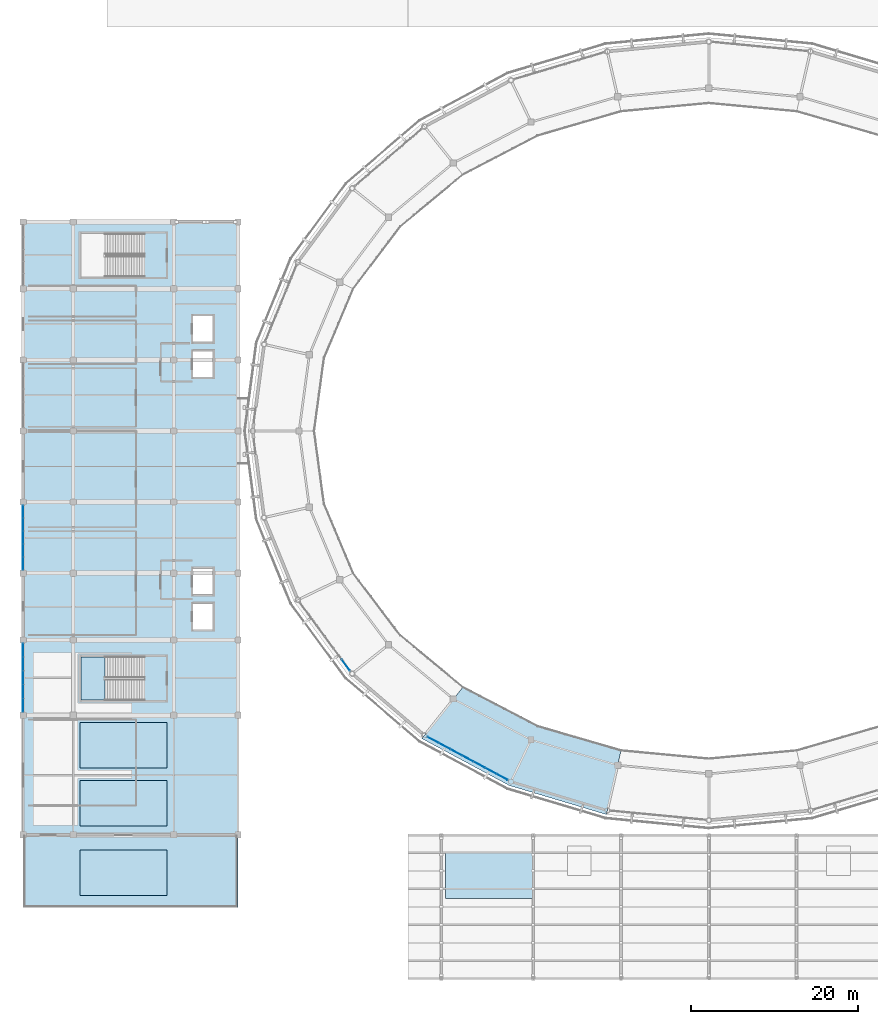
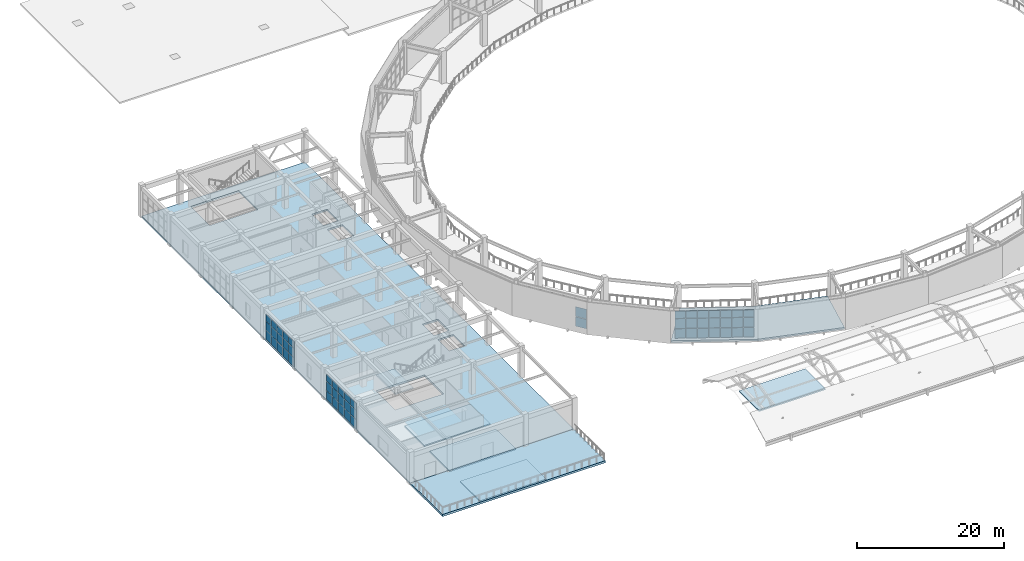
# One storey, part 40 of 70: 53 plates, 8 slabs, 5 elements without a shape of their own.
"""IFC4 building model written with IfcOpenShell, lengths in metres."""

import ifcopenshell
import ifcopenshell.guid

model = None  # the IFC model being written
_history = None  # IfcOwnerHistory: only IFC2X3 demands one
_inside = {}  # id of a spatial element -> (the spatial element, [elements in it])
_under = {}  # id of a project, library or spatial element -> (it, [spatial elements below it])
_declared = {}  # id of a project -> (the project, [libraries it declares])
_typed = {}  # id of a type object -> (the type object, [elements of that type])
_made_of = {}  # id of a material, layer set ... -> (it, [elements and type objects made of it])


def new_model(schema):
    """Start an empty IFC model of exactly this schema.

    Asked for "IFC4X3", IfcOpenShell would pick the latest addendum, in which some entities
    have other attributes; the version numbers below select the first issue.
    IFC2X3 requires an IfcOwnerHistory on every rooted entity: one is made here for all.
    """
    global model, _history
    if schema == "IFC4X3":
        model = ifcopenshell.file(schema_version=(4, 3, 0, 0))
    else:
        model = ifcopenshell.file(schema=schema)
    _inside.clear()
    _under.clear()
    _declared.clear()
    _typed.clear()
    _made_of.clear()
    _history = None
    if model.schema == "IFC2X3":
        org = make("IfcOrganization", Name="unknown")
        user = make(
            "IfcPersonAndOrganization",
            ThePerson=make("IfcPerson", FamilyName="unknown"),
            TheOrganization=org,
        )
        app = make(
            "IfcApplication",
            ApplicationDeveloper=org,
            Version="unknown",
            ApplicationFullName="unknown",
            ApplicationIdentifier="unknown",
        )
        _history = make(
            "IfcOwnerHistory",
            OwningUser=user,
            OwningApplication=app,
            ChangeAction="ADDED",
            CreationDate=0,
        )
    return model


def make(cls, **values):
    """One entity of the class cls with the attributes given. An attribute that is None is left unset."""
    return model.create_entity(
        cls, **{name: value for name, value in values.items() if value is not None}
    )


def rooted(cls, **values):
    """An entity with a GlobalId (a new one), such as an element, a storey or a relation."""
    return make(cls, GlobalId=ifcopenshell.guid.new(), OwnerHistory=_history, **values)


def si_unit(unit_type, name, prefix=None):
    """IfcSIUnit, for example si_unit("LENGTHUNIT", "METRE", prefix="MILLI")."""
    return make("IfcSIUnit", UnitType=unit_type, Prefix=prefix, Name=name)


def assignment(units):
    """IfcUnitAssignment: the units of a project."""
    return None if units is None else make("IfcUnitAssignment", Units=units)


def point(xyz):
    """IfcCartesianPoint."""
    return None if xyz is None else make("IfcCartesianPoint", Coordinates=xyz)


def direction(xyz):
    """IfcDirection."""
    return None if xyz is None else make("IfcDirection", DirectionRatios=xyz)


def frame(location, z_axis=None, x_axis=None):
    """IfcAxis2Placement3D, a coordinate frame: its origin and axes. An axis left out is left unset."""
    return make(
        "IfcAxis2Placement3D",
        Location=point(location),
        Axis=direction(z_axis),
        RefDirection=direction(x_axis),
    )


def frame_2d(location, x_axis=None):
    """IfcAxis2Placement2D, a coordinate frame in the plane: its origin and x axis."""
    return make(
        "IfcAxis2Placement2D", Location=point(location), RefDirection=direction(x_axis)
    )


def origin():
    """The frame at (0, 0, 0) with its axes left unset."""
    return frame((0.0, 0.0, 0.0))


def origin_2d():
    """The frame at (0, 0) in the plane with its x axis left unset."""
    return frame_2d((0.0, 0.0))


def place(relative_to, where):
    """IfcLocalPlacement: puts the frame where relative to a parent placement (None: the world)."""
    return make(
        "IfcLocalPlacement", PlacementRelTo=relative_to, RelativePlacement=where
    )


def context(
    kind, dimensions, precision=None, world=None, true_north=None, identifier=None
):
    """IfcGeometricRepresentationContext, for example the 3D "Model" context."""
    return make(
        "IfcGeometricRepresentationContext",
        ContextIdentifier=identifier,
        ContextType=kind,
        CoordinateSpaceDimension=dimensions,
        Precision=precision,
        WorldCoordinateSystem=world,
        TrueNorth=true_north,
    )


def subcontext(parent, identifier, kind, view, scale=None):
    """IfcGeometricRepresentationSubContext, for example "Body" below "Model"."""
    return make(
        "IfcGeometricRepresentationSubContext",
        ContextIdentifier=identifier,
        ContextType=kind,
        ParentContext=parent,
        TargetScale=scale,
        TargetView=view,
    )


def project(units=None, contexts=None):
    """IfcProject with its units and contexts."""
    return rooted(
        "IfcProject",
        Name="project",
        RepresentationContexts=contexts,
        UnitsInContext=assignment(units),
    )


def spatial(cls, under=None, at=None, **own):
    """A site, building, storey or space (cls), placed at a placement, below another one or the project."""
    s = rooted(cls, ObjectPlacement=at, **own)
    if under is not None:
        _under.setdefault(under.id(), (under, []))[1].append(s)
    return s


def polyline(points):
    """IfcPolyline through the points."""
    return make("IfcPolyline", Points=[point(p) for p in points])


def profile(cls, at=None, kind="AREA", **sizes):
    """A parametric profile (cls). Its sizes go by their IFC names, for example OverallWidth=200.0."""
    return make(cls, ProfileType=kind, Position=at, **sizes)


def rectangle(**sizes):
    """IfcRectangleProfileDef."""
    return profile("IfcRectangleProfileDef", **sizes)


def outline(outer, holes=None, kind="AREA"):
    """IfcArbitraryClosedProfileDef: a profile drawn as a closed curve; with holes, ...WithVoids."""
    if holes is None:
        return make("IfcArbitraryClosedProfileDef", ProfileType=kind, OuterCurve=outer)
    return make(
        "IfcArbitraryProfileDefWithVoids",
        ProfileType=kind,
        OuterCurve=outer,
        InnerCurves=holes,
    )


def extrude(swept, where, along, depth):
    """IfcExtrudedAreaSolid: the profile swept, set in the frame where, extruded along a direction by depth."""
    return make(
        "IfcExtrudedAreaSolid",
        SweptArea=swept,
        Position=where,
        ExtrudedDirection=direction(along),
        Depth=depth,
    )


def shape(context_of_items, identifier, shape_type, items):
    """IfcShapeRepresentation: the items that make up one representation, for example the "Body"."""
    return make(
        "IfcShapeRepresentation",
        ContextOfItems=context_of_items,
        RepresentationIdentifier=identifier,
        RepresentationType=shape_type,
        Items=items,
    )


def material(Name=None, Category=None):
    """IfcMaterial."""
    return make("IfcMaterial", Name=Name, Category=Category)


def layer(
    of_material, thickness, ventilated=None, Name=None, Category=None, Priority=None
):
    """IfcMaterialLayer: one layer of a wall or slab, of a material (None: an air gap)."""
    return make(
        "IfcMaterialLayer",
        Material=of_material,
        LayerThickness=thickness,
        IsVentilated=ventilated,
        Name=Name,
        Category=Category,
        Priority=Priority,
    )


def layer_set(layers, Name=None):
    """IfcMaterialLayerSet."""
    return make("IfcMaterialLayerSet", MaterialLayers=layers, LayerSetName=Name)


def made_of(thing, what):
    """Note that an element or type object is made of a material, layer set ...; save() writes the relation."""
    if what is not None:
        _made_of.setdefault(what.id(), (what, []))[1].append(thing)
    return thing


def type_object(cls, material=None, **own):
    """A type object (cls), such as IfcWallType, which elements share."""
    return made_of(rooted(cls, **own), material)


def element(
    cls,
    number,
    at=None,
    inside=None,
    cuts=None,
    type_object=None,
    material=None,
    context=None,
    identifier="Body",
    shape_type=None,
    held_by="IfcProductDefinitionShape",
    body=None,
    shapes=None,
    **own,
):
    """One element of the class cls, such as IfcWall. Its Tag is "e" and its number.

    at: its placement. inside: the storey or other place that contains it. cuts: it is an
    opening in that element (IfcRelVoidsElement). A single representation is given by context,
    identifier, shape_type and body (its items); several are given by shapes. held_by: the class
    of the entity that holds the representations. save() writes the other relations.
    """
    e = rooted(cls, Tag="e%d" % number, ObjectPlacement=at, **own)
    if body is not None:
        shapes = [shape(context, identifier, shape_type, body)]
    if shapes is not None:
        e.Representation = make(held_by, Representations=shapes)
    if inside is not None:
        _inside.setdefault(inside.id(), (inside, []))[1].append(e)
    if cuts is not None:
        rooted(
            "IfcRelVoidsElement", RelatingBuildingElement=cuts, RelatedOpeningElement=e
        )
    if type_object is not None:
        _typed.setdefault(type_object.id(), (type_object, []))[1].append(e)
    return made_of(e, material)


def aggregate(whole, parts):
    """IfcRelAggregates: a whole, such as a stair, and the parts it consists of."""
    return rooted("IfcRelAggregates", RelatingObject=whole, RelatedObjects=parts)


def save(model, path):
    """Write the relations noted so far, then the file.

    IfcRelAggregates (storeys below a building ...), IfcRelContainedInSpatialStructure (elements
    in a storey), IfcRelDefinesByType, IfcRelAssociatesMaterial and IfcRelDeclares: one each for
    every whole, place, type object, material and project.
    """
    for whole, parts in _under.values():
        aggregate(whole, parts)
    for where, things in _inside.values():
        rooted(
            "IfcRelContainedInSpatialStructure",
            RelatedElements=things,
            RelatingStructure=where,
        )
    for kind, things in _typed.values():
        rooted("IfcRelDefinesByType", RelatedObjects=things, RelatingType=kind)
    for what, things in _made_of.values():
        rooted("IfcRelAssociatesMaterial", RelatedObjects=things, RelatingMaterial=what)
    for by, libraries in _declared.values():
        rooted("IfcRelDeclares", RelatingContext=by, RelatedDefinitions=libraries)
    model.write(path)


model = new_model("IFC4")

# Units and contexts
model_context = context("Model", 3, precision=1e-05, world=origin(), true_north=direction((0.0, 1.0)))
body_context = subcontext(model_context, "Body", "Model", "MODEL_VIEW")
ifc_project = project(units=[si_unit("LENGTHUNIT", "METRE"), si_unit("AREAUNIT", "SQUARE_METRE"), si_unit("VOLUMEUNIT", "CUBIC_METRE"), si_unit("PLANEANGLEUNIT", "RADIAN"), si_unit("MASSUNIT", "GRAM", prefix="KILO")], contexts=[model_context])

# Site, building, storey
site_placement = place(None, origin())
site = spatial("IfcSite", under=ifc_project, at=site_placement, CompositionType="ELEMENT")
building_placement = place(site_placement, origin())
building = spatial("IfcBuilding", under=site, at=building_placement, Name="Cuetzalor Civic Arena", CompositionType="ELEMENT")
storey_placement = place(building_placement, frame((0.0, 0.0, 21.0)))
storey = spatial("IfcBuildingStorey", under=building, at=storey_placement, Name="L04", CompositionType="ELEMENT", Elevation=21.0)

# Curtain wall, plates
ifc_material_1 = material(Name="Anodised dark bronze aluminium and low-E solar glass", Category="aluminium")
curtain_wall_type_1 = type_object("IfcCurtainWallType", Name="UnitisedCW_10150x4650", PredefinedType="USERDEFINED", material=ifc_material_1)
curtain_wall_1_placement = place(storey_placement, origin())
curtain_wall_1 = element("IfcCurtainWall", 1, at=curtain_wall_1_placement, inside=storey, type_object=curtain_wall_type_1, Name="Drum Triangle Foyer Curtain Wall L04-063", ObjectType="UNITISED CURTAIN WALL", PredefinedType="USERDEFINED")
ifc_material_2 = material(Name="Acoustic laminated solar control glass", Category="glass")
ifc_layer_1 = layer(ifc_material_2, 0.0439453125)
ifc_layer_set_1 = layer_set([ifc_layer_1], Name="Acoustic laminated solar control glass")
plate_type = type_object("IfcPlateType", Name="AcousticTripleGlazedPanel_44", PredefinedType="CURTAIN_PANEL", material=ifc_layer_set_1)
plate_1_placement = place(storey_placement, frame((-43.402587890625, -27.999755859375, 0.06982421875), z_axis=(0.0, 0.0, 1.0), x_axis=(-0.59292931222, 0.805254513002, 0.0)))
plate_1 = element("IfcPlate", 2, at=plate_1_placement, type_object=plate_type, Name="CW-06 panel 1.1", PredefinedType="CURTAIN_PANEL", context=body_context, shape_type="SweptSolid", body=[
    extrude(rectangle(XDim=1.585693359375, YDim=0.0439453125, at=origin_2d()), origin(), (0.0, 0.0, 1.0), 1.570068359375),
])
plate_2_placement = place(storey_placement, frame((-43.402587890625, -27.999755859375, 1.7099609375), z_axis=(0.0, 0.0, 1.0), x_axis=(-0.59292931222, 0.805254513002, 0.0)))
plate_2 = element("IfcPlate", 3, at=plate_2_placement, type_object=plate_type, Name="CW-06 panel 1.2", PredefinedType="CURTAIN_PANEL", context=body_context, shape_type="SweptSolid", body=[
    extrude(rectangle(XDim=1.585693359375, YDim=0.0439453125, at=origin_2d()), origin(), (0.0, 0.0, 1.0), 1.60498046875),
])
aggregate(curtain_wall_1, [plate_1, plate_2])

ifc_material_3 = material(Name="Anodised dark bronze aluminium and low-E solar glass", Category="aluminium")
curtain_wall_type_2 = type_object("IfcCurtainWallType", Name="UnitisedCW_10950x4650", PredefinedType="USERDEFINED", material=ifc_material_3)
curtain_wall_2_placement = place(storey_placement, origin())
curtain_wall_2 = element("IfcCurtainWall", 4, at=curtain_wall_2_placement, inside=storey, type_object=curtain_wall_type_2, Name="Drum Triangle Foyer Curtain Wall L04-064", ObjectType="UNITISED CURTAIN WALL", PredefinedType="USERDEFINED")
plate_3_placement = place(storey_placement, frame((-24.720947265625, -41.375732421875, 0.06982421875), z_axis=(0.0, 0.0, 1.0), x_axis=(-0.881306344124, 0.472545371163, 0.0)))
plate_3 = element("IfcPlate", 5, at=plate_3_placement, type_object=plate_type, Name="CW-07 panel 1.1", PredefinedType="CURTAIN_PANEL", context=body_context, shape_type="SweptSolid", body=[
    extrude(rectangle(XDim=1.458740234375, YDim=0.0439453125, at=origin_2d()), origin(), (0.0, 0.0, 1.0), 1.570068359375),
])
plate_4_placement = place(storey_placement, frame((-24.720947265625, -41.375732421875, 1.7099609375), z_axis=(0.0, 0.0, 1.0), x_axis=(-0.881306344124, 0.472545371163, 0.0)))
plate_4 = element("IfcPlate", 6, at=plate_4_placement, type_object=plate_type, Name="CW-07 panel 1.2", PredefinedType="CURTAIN_PANEL", context=body_context, shape_type="SweptSolid", body=[
    extrude(rectangle(XDim=1.458740234375, YDim=0.0439453125, at=origin_2d()), origin(), (0.0, 0.0, 1.0), 1.60498046875),
])
plate_5_placement = place(storey_placement, frame((-24.720947265625, -41.375732421875, 3.384765625), z_axis=(0.0, 0.0, 1.0), x_axis=(-0.881306344124, 0.472545371163, 0.0)))
plate_5 = element("IfcPlate", 7, at=plate_5_placement, type_object=plate_type, Name="CW-07 panel 1.3", PredefinedType="CURTAIN_PANEL", context=body_context, shape_type="SweptSolid", body=[
    extrude(rectangle(XDim=1.458740234375, YDim=0.0439453125, at=origin_2d()), origin(), (0.0, 0.0, 1.0), 1.197998046875),
])
plate_6_placement = place(storey_placement, frame((-26.08349609375, -40.64501953125, 0.06982421875), z_axis=(0.0, 0.0, 1.0), x_axis=(-0.881306344124, 0.472545371163, 0.0)))
plate_6 = element("IfcPlate", 8, at=plate_6_placement, type_object=plate_type, Name="CW-07 panel 2.1", PredefinedType="CURTAIN_PANEL", context=body_context, shape_type="SweptSolid", body=[
    extrude(rectangle(XDim=1.49365234375, YDim=0.0439453125, at=origin_2d()), origin(), (0.0, 0.0, 1.0), 1.570068359375),
])
plate_7_placement = place(storey_placement, frame((-26.08349609375, -40.64501953125, 1.7099609375), z_axis=(0.0, 0.0, 1.0), x_axis=(-0.881306344124, 0.472545371163, 0.0)))
plate_7 = element("IfcPlate", 9, at=plate_7_placement, type_object=plate_type, Name="CW-07 panel 2.2", PredefinedType="CURTAIN_PANEL", context=body_context, shape_type="SweptSolid", body=[
    extrude(rectangle(XDim=1.49365234375, YDim=0.0439453125, at=origin_2d()), origin(), (0.0, 0.0, 1.0), 1.60498046875),
])
plate_8_placement = place(storey_placement, frame((-26.08349609375, -40.64501953125, 3.384765625), z_axis=(0.0, 0.0, 1.0), x_axis=(-0.881306344124, 0.472545371163, 0.0)))
plate_8 = element("IfcPlate", 10, at=plate_8_placement, type_object=plate_type, Name="CW-07 panel 2.3", PredefinedType="CURTAIN_PANEL", context=body_context, shape_type="SweptSolid", body=[
    extrude(rectangle(XDim=1.49365234375, YDim=0.0439453125, at=origin_2d()), origin(), (0.0, 0.0, 1.0), 1.197998046875),
])
plate_9_placement = place(storey_placement, frame((-27.461669921875, -39.90625, 0.06982421875), z_axis=(0.0, 0.0, 1.0), x_axis=(-0.881306344124, 0.472545371163, 0.0)))
plate_9 = element("IfcPlate", 11, at=plate_9_placement, type_object=plate_type, Name="CW-07 panel 3.1", PredefinedType="CURTAIN_PANEL", context=body_context, shape_type="SweptSolid", body=[
    extrude(rectangle(XDim=1.49365234375, YDim=0.0439453125, at=origin_2d()), origin(), (0.0, 0.0, 1.0), 1.570068359375),
])
plate_10_placement = place(storey_placement, frame((-27.461669921875, -39.90625, 1.7099609375), z_axis=(0.0, 0.0, 1.0), x_axis=(-0.881306344124, 0.472545371163, 0.0)))
plate_10 = element("IfcPlate", 12, at=plate_10_placement, type_object=plate_type, Name="CW-07 panel 3.2", PredefinedType="CURTAIN_PANEL", context=body_context, shape_type="SweptSolid", body=[
    extrude(rectangle(XDim=1.49365234375, YDim=0.0439453125, at=origin_2d()), origin(), (0.0, 0.0, 1.0), 1.60498046875),
])
plate_11_placement = place(storey_placement, frame((-27.461669921875, -39.90625, 3.384765625), z_axis=(0.0, 0.0, 1.0), x_axis=(-0.881306344124, 0.472545371163, 0.0)))
plate_11 = element("IfcPlate", 13, at=plate_11_placement, type_object=plate_type, Name="CW-07 panel 3.3", PredefinedType="CURTAIN_PANEL", context=body_context, shape_type="SweptSolid", body=[
    extrude(rectangle(XDim=1.49365234375, YDim=0.0439453125, at=origin_2d()), origin(), (0.0, 0.0, 1.0), 1.197998046875),
])
plate_12_placement = place(storey_placement, frame((-28.83984375, -39.167236328125, 0.06982421875), z_axis=(0.0, 0.0, 1.0), x_axis=(-0.881306344124, 0.472545371163, 0.0)))
plate_12 = element("IfcPlate", 14, at=plate_12_placement, type_object=plate_type, Name="CW-07 panel 4.1", PredefinedType="CURTAIN_PANEL", context=body_context, shape_type="SweptSolid", body=[
    extrude(rectangle(XDim=1.49365234375, YDim=0.0439453125, at=origin_2d()), origin(), (0.0, 0.0, 1.0), 1.570068359375),
])
plate_13_placement = place(storey_placement, frame((-28.83984375, -39.167236328125, 1.7099609375), z_axis=(0.0, 0.0, 1.0), x_axis=(-0.881306344124, 0.472545371163, 0.0)))
plate_13 = element("IfcPlate", 15, at=plate_13_placement, type_object=plate_type, Name="CW-07 panel 4.2", PredefinedType="CURTAIN_PANEL", context=body_context, shape_type="SweptSolid", body=[
    extrude(rectangle(XDim=1.49365234375, YDim=0.0439453125, at=origin_2d()), origin(), (0.0, 0.0, 1.0), 1.60498046875),
])
plate_14_placement = place(storey_placement, frame((-28.83984375, -39.167236328125, 3.384765625), z_axis=(0.0, 0.0, 1.0), x_axis=(-0.881306344124, 0.472545371163, 0.0)))
plate_14 = element("IfcPlate", 16, at=plate_14_placement, type_object=plate_type, Name="CW-07 panel 4.3", PredefinedType="CURTAIN_PANEL", context=body_context, shape_type="SweptSolid", body=[
    extrude(rectangle(XDim=1.49365234375, YDim=0.0439453125, at=origin_2d()), origin(), (0.0, 0.0, 1.0), 1.197998046875),
])
plate_15_placement = place(storey_placement, frame((-30.218017578125, -38.42822265625, 0.06982421875), z_axis=(0.0, 0.0, 1.0), x_axis=(-0.881306344124, 0.472545371163, 0.0)))
plate_15 = element("IfcPlate", 17, at=plate_15_placement, type_object=plate_type, Name="CW-07 panel 5.1", PredefinedType="CURTAIN_PANEL", context=body_context, shape_type="SweptSolid", body=[
    extrude(rectangle(XDim=1.49365234375, YDim=0.0439453125, at=origin_2d()), origin(), (0.0, 0.0, 1.0), 1.570068359375),
])
plate_16_placement = place(storey_placement, frame((-30.218017578125, -38.42822265625, 1.7099609375), z_axis=(0.0, 0.0, 1.0), x_axis=(-0.881306344124, 0.472545371163, 0.0)))
plate_16 = element("IfcPlate", 18, at=plate_16_placement, type_object=plate_type, Name="CW-07 panel 5.2", PredefinedType="CURTAIN_PANEL", context=body_context, shape_type="SweptSolid", body=[
    extrude(rectangle(XDim=1.49365234375, YDim=0.0439453125, at=origin_2d()), origin(), (0.0, 0.0, 1.0), 1.60498046875),
])
plate_17_placement = place(storey_placement, frame((-30.218017578125, -38.42822265625, 3.384765625), z_axis=(0.0, 0.0, 1.0), x_axis=(-0.881306344124, 0.472545371163, 0.0)))
plate_17 = element("IfcPlate", 19, at=plate_17_placement, type_object=plate_type, Name="CW-07 panel 5.3", PredefinedType="CURTAIN_PANEL", context=body_context, shape_type="SweptSolid", body=[
    extrude(rectangle(XDim=1.49365234375, YDim=0.0439453125, at=origin_2d()), origin(), (0.0, 0.0, 1.0), 1.197998046875),
])
plate_18_placement = place(storey_placement, frame((-31.59619140625, -37.689208984375, 0.06982421875), z_axis=(0.0, 0.0, 1.0), x_axis=(-0.881306344124, 0.472545371163, 0.0)))
plate_18 = element("IfcPlate", 20, at=plate_18_placement, type_object=plate_type, Name="CW-07 panel 6.1", PredefinedType="CURTAIN_PANEL", context=body_context, shape_type="SweptSolid", body=[
    extrude(rectangle(XDim=1.49365234375, YDim=0.0439453125, at=origin_2d()), origin(), (0.0, 0.0, 1.0), 1.570068359375),
])
plate_19_placement = place(storey_placement, frame((-31.59619140625, -37.689208984375, 1.7099609375), z_axis=(0.0, 0.0, 1.0), x_axis=(-0.881306344124, 0.472545371163, 0.0)))
plate_19 = element("IfcPlate", 21, at=plate_19_placement, type_object=plate_type, Name="CW-07 panel 6.2", PredefinedType="CURTAIN_PANEL", context=body_context, shape_type="SweptSolid", body=[
    extrude(rectangle(XDim=1.49365234375, YDim=0.0439453125, at=origin_2d()), origin(), (0.0, 0.0, 1.0), 1.60498046875),
])
plate_20_placement = place(storey_placement, frame((-31.59619140625, -37.689208984375, 3.384765625), z_axis=(0.0, 0.0, 1.0), x_axis=(-0.881306344124, 0.472545371163, 0.0)))
plate_20 = element("IfcPlate", 22, at=plate_20_placement, type_object=plate_type, Name="CW-07 panel 6.3", PredefinedType="CURTAIN_PANEL", context=body_context, shape_type="SweptSolid", body=[
    extrude(rectangle(XDim=1.49365234375, YDim=0.0439453125, at=origin_2d()), origin(), (0.0, 0.0, 1.0), 1.197998046875),
])
plate_21_placement = place(storey_placement, frame((-32.958984375, -36.958740234375, 0.06982421875), z_axis=(0.0, 0.0, 1.0), x_axis=(-0.881306344124, 0.472545371163, 0.0)))
plate_21 = element("IfcPlate", 23, at=plate_21_placement, type_object=plate_type, Name="CW-07 panel 7.1", PredefinedType="CURTAIN_PANEL", context=body_context, shape_type="SweptSolid", body=[
    extrude(rectangle(XDim=1.458740234375, YDim=0.0439453125, at=origin_2d()), origin(), (0.0, 0.0, 1.0), 1.570068359375),
])
plate_22_placement = place(storey_placement, frame((-32.958984375, -36.958740234375, 1.7099609375), z_axis=(0.0, 0.0, 1.0), x_axis=(-0.881306344124, 0.472545371163, 0.0)))
plate_22 = element("IfcPlate", 24, at=plate_22_placement, type_object=plate_type, Name="CW-07 panel 7.2", PredefinedType="CURTAIN_PANEL", context=body_context, shape_type="SweptSolid", body=[
    extrude(rectangle(XDim=1.458740234375, YDim=0.0439453125, at=origin_2d()), origin(), (0.0, 0.0, 1.0), 1.60498046875),
])
plate_23_placement = place(storey_placement, frame((-32.958984375, -36.958740234375, 3.384765625), z_axis=(0.0, 0.0, 1.0), x_axis=(-0.881306344124, 0.472545371163, 0.0)))
plate_23 = element("IfcPlate", 25, at=plate_23_placement, type_object=plate_type, Name="CW-07 panel 7.3", PredefinedType="CURTAIN_PANEL", context=body_context, shape_type="SweptSolid", body=[
    extrude(rectangle(XDim=1.458740234375, YDim=0.0439453125, at=origin_2d()), origin(), (0.0, 0.0, 1.0), 1.197998046875),
])
aggregate(curtain_wall_2, [plate_3, plate_4, plate_5, plate_6, plate_7, plate_8, plate_9, plate_10, plate_11, plate_12, plate_13, plate_14, plate_15, plate_16, plate_17, plate_18, plate_19, plate_20, plate_21, plate_22, plate_23])

ifc_material_4 = material(Name="Anodised dark bronze aluminium and low-E solar glass", Category="aluminium")
curtain_wall_type_3 = type_object("IfcCurtainWallType", Name="UnitisedCW_8300x4350", PredefinedType="USERDEFINED", material=ifc_material_4)
curtain_wall_3_placement = place(storey_placement, origin())
curtain_wall_3 = element("IfcCurtainWall", 26, at=curtain_wall_3_placement, inside=storey, type_object=curtain_wall_type_3, Name="V4W Suite Viewing Curtain Wall L04-123", ObjectType="UNITISED CURTAIN WALL", PredefinedType="USERDEFINED")
plate_24_placement = place(storey_placement, frame((-82.0, -32.798095703125, 0.06494140625), z_axis=(0.0, 0.0, 1.0), x_axis=(0.0, 1.0, 0.0)))
plate_24 = element("IfcPlate", 27, at=plate_24_placement, type_object=plate_type, Name="CW-46 panel 1.1", PredefinedType="CURTAIN_PANEL", context=body_context, shape_type="SweptSolid", body=[
    extrude(rectangle(XDim=1.559814453125, YDim=0.0439453125, at=origin_2d()), origin(), (0.0, 0.0, 1.0), 1.472412109375),
])
plate_25_placement = place(storey_placement, frame((-82.0, -32.798095703125, 1.6025390625), z_axis=(0.0, 0.0, 1.0), x_axis=(0.0, 1.0, 0.0)))
plate_25 = element("IfcPlate", 28, at=plate_25_placement, type_object=plate_type, Name="CW-46 panel 1.2", PredefinedType="CURTAIN_PANEL", context=body_context, shape_type="SweptSolid", body=[
    extrude(rectangle(XDim=1.559814453125, YDim=0.0439453125, at=origin_2d()), origin(), (0.0, 0.0, 1.0), 1.50390625),
])
plate_26_placement = place(storey_placement, frame((-82.0, -32.798095703125, 3.17138671875), z_axis=(0.0, 0.0, 1.0), x_axis=(0.0, 1.0, 0.0)))
plate_26 = element("IfcPlate", 29, at=plate_26_placement, type_object=plate_type, Name="CW-46 panel 1.3", PredefinedType="CURTAIN_PANEL", context=body_context, shape_type="SweptSolid", body=[
    extrude(rectangle(XDim=1.559814453125, YDim=0.0439453125, at=origin_2d()), origin(), (0.0, 0.0, 1.0), 1.12353515625),
])
plate_27_placement = place(storey_placement, frame((-82.0, -31.1572265625, 0.06494140625), z_axis=(0.0, 0.0, 1.0), x_axis=(0.0, 1.0, 0.0)))
plate_27 = element("IfcPlate", 30, at=plate_27_placement, type_object=plate_type, Name="CW-46 panel 2.1", PredefinedType="CURTAIN_PANEL", context=body_context, shape_type="SweptSolid", body=[
    extrude(rectangle(XDim=1.59228515625, YDim=0.0439453125, at=origin_2d()), origin(), (0.0, 0.0, 1.0), 1.472412109375),
])
plate_28_placement = place(storey_placement, frame((-82.0, -31.1572265625, 1.6025390625), z_axis=(0.0, 0.0, 1.0), x_axis=(0.0, 1.0, 0.0)))
plate_28 = element("IfcPlate", 31, at=plate_28_placement, type_object=plate_type, Name="CW-46 panel 2.2", PredefinedType="CURTAIN_PANEL", context=body_context, shape_type="SweptSolid", body=[
    extrude(rectangle(XDim=1.59228515625, YDim=0.0439453125, at=origin_2d()), origin(), (0.0, 0.0, 1.0), 1.50390625),
])
plate_29_placement = place(storey_placement, frame((-82.0, -31.1572265625, 3.17138671875), z_axis=(0.0, 0.0, 1.0), x_axis=(0.0, 1.0, 0.0)))
plate_29 = element("IfcPlate", 32, at=plate_29_placement, type_object=plate_type, Name="CW-46 panel 2.3", PredefinedType="CURTAIN_PANEL", context=body_context, shape_type="SweptSolid", body=[
    extrude(rectangle(XDim=1.59228515625, YDim=0.0439453125, at=origin_2d()), origin(), (0.0, 0.0, 1.0), 1.12353515625),
])
plate_30_placement = place(storey_placement, frame((-82.0, -29.5, 0.06494140625), z_axis=(0.0, 0.0, 1.0), x_axis=(0.0, 1.0, 0.0)))
plate_30 = element("IfcPlate", 33, at=plate_30_placement, type_object=plate_type, Name="CW-46 panel 3.1", PredefinedType="CURTAIN_PANEL", context=body_context, shape_type="SweptSolid", body=[
    extrude(rectangle(XDim=1.59228515625, YDim=0.0439453125, at=origin_2d()), origin(), (0.0, 0.0, 1.0), 1.472412109375),
])
plate_31_placement = place(storey_placement, frame((-82.0, -29.5, 1.6025390625), z_axis=(0.0, 0.0, 1.0), x_axis=(0.0, 1.0, 0.0)))
plate_31 = element("IfcPlate", 34, at=plate_31_placement, type_object=plate_type, Name="CW-46 panel 3.2", PredefinedType="CURTAIN_PANEL", context=body_context, shape_type="SweptSolid", body=[
    extrude(rectangle(XDim=1.59228515625, YDim=0.0439453125, at=origin_2d()), origin(), (0.0, 0.0, 1.0), 1.50390625),
])
plate_32_placement = place(storey_placement, frame((-82.0, -29.5, 3.17138671875), z_axis=(0.0, 0.0, 1.0), x_axis=(0.0, 1.0, 0.0)))
plate_32 = element("IfcPlate", 35, at=plate_32_placement, type_object=plate_type, Name="CW-46 panel 3.3", PredefinedType="CURTAIN_PANEL", context=body_context, shape_type="SweptSolid", body=[
    extrude(rectangle(XDim=1.59228515625, YDim=0.0439453125, at=origin_2d()), origin(), (0.0, 0.0, 1.0), 1.12353515625),
])
plate_33_placement = place(storey_placement, frame((-82.0, -27.8427734375, 0.06494140625), z_axis=(0.0, 0.0, 1.0), x_axis=(0.0, 1.0, 0.0)))
plate_33 = element("IfcPlate", 36, at=plate_33_placement, type_object=plate_type, Name="CW-46 panel 4.1", PredefinedType="CURTAIN_PANEL", context=body_context, shape_type="SweptSolid", body=[
    extrude(rectangle(XDim=1.59228515625, YDim=0.0439453125, at=origin_2d()), origin(), (0.0, 0.0, 1.0), 1.472412109375),
])
plate_34_placement = place(storey_placement, frame((-82.0, -27.8427734375, 1.6025390625), z_axis=(0.0, 0.0, 1.0), x_axis=(0.0, 1.0, 0.0)))
plate_34 = element("IfcPlate", 37, at=plate_34_placement, type_object=plate_type, Name="CW-46 panel 4.2", PredefinedType="CURTAIN_PANEL", context=body_context, shape_type="SweptSolid", body=[
    extrude(rectangle(XDim=1.59228515625, YDim=0.0439453125, at=origin_2d()), origin(), (0.0, 0.0, 1.0), 1.50390625),
])
plate_35_placement = place(storey_placement, frame((-82.0, -27.8427734375, 3.17138671875), z_axis=(0.0, 0.0, 1.0), x_axis=(0.0, 1.0, 0.0)))
plate_35 = element("IfcPlate", 38, at=plate_35_placement, type_object=plate_type, Name="CW-46 panel 4.3", PredefinedType="CURTAIN_PANEL", context=body_context, shape_type="SweptSolid", body=[
    extrude(rectangle(XDim=1.59228515625, YDim=0.0439453125, at=origin_2d()), origin(), (0.0, 0.0, 1.0), 1.12353515625),
])
plate_36_placement = place(storey_placement, frame((-82.0, -26.201904296875, 0.06494140625), z_axis=(0.0, 0.0, 1.0), x_axis=(0.0, 1.0, 0.0)))
plate_36 = element("IfcPlate", 39, at=plate_36_placement, type_object=plate_type, Name="CW-46 panel 5.1", PredefinedType="CURTAIN_PANEL", context=body_context, shape_type="SweptSolid", body=[
    extrude(rectangle(XDim=1.559814453125, YDim=0.0439453125, at=origin_2d()), origin(), (0.0, 0.0, 1.0), 1.472412109375),
])
plate_37_placement = place(storey_placement, frame((-82.0, -26.201904296875, 1.6025390625), z_axis=(0.0, 0.0, 1.0), x_axis=(0.0, 1.0, 0.0)))
plate_37 = element("IfcPlate", 40, at=plate_37_placement, type_object=plate_type, Name="CW-46 panel 5.2", PredefinedType="CURTAIN_PANEL", context=body_context, shape_type="SweptSolid", body=[
    extrude(rectangle(XDim=1.559814453125, YDim=0.0439453125, at=origin_2d()), origin(), (0.0, 0.0, 1.0), 1.50390625),
])
plate_38_placement = place(storey_placement, frame((-82.0, -26.201904296875, 3.17138671875), z_axis=(0.0, 0.0, 1.0), x_axis=(0.0, 1.0, 0.0)))
plate_38 = element("IfcPlate", 41, at=plate_38_placement, type_object=plate_type, Name="CW-46 panel 5.3", PredefinedType="CURTAIN_PANEL", context=body_context, shape_type="SweptSolid", body=[
    extrude(rectangle(XDim=1.559814453125, YDim=0.0439453125, at=origin_2d()), origin(), (0.0, 0.0, 1.0), 1.12353515625),
])
aggregate(curtain_wall_3, [plate_24, plate_25, plate_26, plate_27, plate_28, plate_29, plate_30, plate_31, plate_32, plate_33, plate_34, plate_35, plate_36, plate_37, plate_38])

ifc_material_5 = material(Name="Anodised dark bronze aluminium and low-E solar glass", Category="aluminium")
curtain_wall_type_4 = type_object("IfcCurtainWallType", Name="UnitisedCW_7800x4350", PredefinedType="USERDEFINED", material=ifc_material_5)
curtain_wall_4_placement = place(storey_placement, origin())
curtain_wall_4 = element("IfcCurtainWall", 42, at=curtain_wall_4_placement, inside=storey, type_object=curtain_wall_type_4, Name="V4W Suite Viewing Curtain Wall L04-124", ObjectType="UNITISED CURTAIN WALL", PredefinedType="USERDEFINED")
plate_39_placement = place(storey_placement, frame((-82.0, -15.84814453125, 0.06494140625), z_axis=(0.0, 0.0, 1.0), x_axis=(0.0, 1.0, 0.0)))
plate_39 = element("IfcPlate", 43, at=plate_39_placement, type_object=plate_type, Name="CW-47 panel 1.1", PredefinedType="CURTAIN_PANEL", context=body_context, shape_type="SweptSolid", body=[
    extrude(rectangle(XDim=1.459716796875, YDim=0.0439453125, at=origin_2d()), origin(), (0.0, 0.0, 1.0), 1.472412109375),
])
plate_40_placement = place(storey_placement, frame((-82.0, -15.84814453125, 1.6025390625), z_axis=(0.0, 0.0, 1.0), x_axis=(0.0, 1.0, 0.0)))
plate_40 = element("IfcPlate", 44, at=plate_40_placement, type_object=plate_type, Name="CW-47 panel 1.2", PredefinedType="CURTAIN_PANEL", context=body_context, shape_type="SweptSolid", body=[
    extrude(rectangle(XDim=1.459716796875, YDim=0.0439453125, at=origin_2d()), origin(), (0.0, 0.0, 1.0), 1.50390625),
])
plate_41_placement = place(storey_placement, frame((-82.0, -15.84814453125, 3.17138671875), z_axis=(0.0, 0.0, 1.0), x_axis=(0.0, 1.0, 0.0)))
plate_41 = element("IfcPlate", 45, at=plate_41_placement, type_object=plate_type, Name="CW-47 panel 1.3", PredefinedType="CURTAIN_PANEL", context=body_context, shape_type="SweptSolid", body=[
    extrude(rectangle(XDim=1.459716796875, YDim=0.0439453125, at=origin_2d()), origin(), (0.0, 0.0, 1.0), 1.12353515625),
])
plate_42_placement = place(storey_placement, frame((-82.0, -14.30712890625, 0.06494140625), z_axis=(0.0, 0.0, 1.0), x_axis=(0.0, 1.0, 0.0)))
plate_42 = element("IfcPlate", 46, at=plate_42_placement, type_object=plate_type, Name="CW-47 panel 2.1", PredefinedType="CURTAIN_PANEL", context=body_context, shape_type="SweptSolid", body=[
    extrude(rectangle(XDim=1.4921875, YDim=0.0439453125, at=origin_2d()), origin(), (0.0, 0.0, 1.0), 1.472412109375),
])
plate_43_placement = place(storey_placement, frame((-82.0, -14.30712890625, 1.6025390625), z_axis=(0.0, 0.0, 1.0), x_axis=(0.0, 1.0, 0.0)))
plate_43 = element("IfcPlate", 47, at=plate_43_placement, type_object=plate_type, Name="CW-47 panel 2.2", PredefinedType="CURTAIN_PANEL", context=body_context, shape_type="SweptSolid", body=[
    extrude(rectangle(XDim=1.4921875, YDim=0.0439453125, at=origin_2d()), origin(), (0.0, 0.0, 1.0), 1.50390625),
])
plate_44_placement = place(storey_placement, frame((-82.0, -14.30712890625, 3.17138671875), z_axis=(0.0, 0.0, 1.0), x_axis=(0.0, 1.0, 0.0)))
plate_44 = element("IfcPlate", 48, at=plate_44_placement, type_object=plate_type, Name="CW-47 panel 2.3", PredefinedType="CURTAIN_PANEL", context=body_context, shape_type="SweptSolid", body=[
    extrude(rectangle(XDim=1.4921875, YDim=0.0439453125, at=origin_2d()), origin(), (0.0, 0.0, 1.0), 1.12353515625),
])
plate_45_placement = place(storey_placement, frame((-82.0, -12.75, 0.06494140625), z_axis=(0.0, 0.0, 1.0), x_axis=(0.0, 1.0, 0.0)))
plate_45 = element("IfcPlate", 49, at=plate_45_placement, type_object=plate_type, Name="CW-47 panel 3.1", PredefinedType="CURTAIN_PANEL", context=body_context, shape_type="SweptSolid", body=[
    extrude(rectangle(XDim=1.4921875, YDim=0.0439453125, at=origin_2d()), origin(), (0.0, 0.0, 1.0), 1.472412109375),
])
plate_46_placement = place(storey_placement, frame((-82.0, -12.75, 1.6025390625), z_axis=(0.0, 0.0, 1.0), x_axis=(0.0, 1.0, 0.0)))
plate_46 = element("IfcPlate", 50, at=plate_46_placement, type_object=plate_type, Name="CW-47 panel 3.2", PredefinedType="CURTAIN_PANEL", context=body_context, shape_type="SweptSolid", body=[
    extrude(rectangle(XDim=1.4921875, YDim=0.0439453125, at=origin_2d()), origin(), (0.0, 0.0, 1.0), 1.50390625),
])
plate_47_placement = place(storey_placement, frame((-82.0, -12.75, 3.17138671875), z_axis=(0.0, 0.0, 1.0), x_axis=(0.0, 1.0, 0.0)))
plate_47 = element("IfcPlate", 51, at=plate_47_placement, type_object=plate_type, Name="CW-47 panel 3.3", PredefinedType="CURTAIN_PANEL", context=body_context, shape_type="SweptSolid", body=[
    extrude(rectangle(XDim=1.4921875, YDim=0.0439453125, at=origin_2d()), origin(), (0.0, 0.0, 1.0), 1.12353515625),
])
plate_48_placement = place(storey_placement, frame((-82.0, -11.19287109375, 0.06494140625), z_axis=(0.0, 0.0, 1.0), x_axis=(0.0, 1.0, 0.0)))
plate_48 = element("IfcPlate", 52, at=plate_48_placement, type_object=plate_type, Name="CW-47 panel 4.1", PredefinedType="CURTAIN_PANEL", context=body_context, shape_type="SweptSolid", body=[
    extrude(rectangle(XDim=1.4921875, YDim=0.0439453125, at=origin_2d()), origin(), (0.0, 0.0, 1.0), 1.472412109375),
])
plate_49_placement = place(storey_placement, frame((-82.0, -11.19287109375, 1.6025390625), z_axis=(0.0, 0.0, 1.0), x_axis=(0.0, 1.0, 0.0)))
plate_49 = element("IfcPlate", 53, at=plate_49_placement, type_object=plate_type, Name="CW-47 panel 4.2", PredefinedType="CURTAIN_PANEL", context=body_context, shape_type="SweptSolid", body=[
    extrude(rectangle(XDim=1.4921875, YDim=0.0439453125, at=origin_2d()), origin(), (0.0, 0.0, 1.0), 1.50390625),
])
plate_50_placement = place(storey_placement, frame((-82.0, -11.19287109375, 3.17138671875), z_axis=(0.0, 0.0, 1.0), x_axis=(0.0, 1.0, 0.0)))
plate_50 = element("IfcPlate", 54, at=plate_50_placement, type_object=plate_type, Name="CW-47 panel 4.3", PredefinedType="CURTAIN_PANEL", context=body_context, shape_type="SweptSolid", body=[
    extrude(rectangle(XDim=1.4921875, YDim=0.0439453125, at=origin_2d()), origin(), (0.0, 0.0, 1.0), 1.12353515625),
])
plate_51_placement = place(storey_placement, frame((-82.0, -9.65185546875, 0.06494140625), z_axis=(0.0, 0.0, 1.0), x_axis=(0.0, 1.0, 0.0)))
plate_51 = element("IfcPlate", 55, at=plate_51_placement, type_object=plate_type, Name="CW-47 panel 5.1", PredefinedType="CURTAIN_PANEL", context=body_context, shape_type="SweptSolid", body=[
    extrude(rectangle(XDim=1.459716796875, YDim=0.0439453125, at=origin_2d()), origin(), (0.0, 0.0, 1.0), 1.472412109375),
])
plate_52_placement = place(storey_placement, frame((-82.0, -9.65185546875, 1.6025390625), z_axis=(0.0, 0.0, 1.0), x_axis=(0.0, 1.0, 0.0)))
plate_52 = element("IfcPlate", 56, at=plate_52_placement, type_object=plate_type, Name="CW-47 panel 5.2", PredefinedType="CURTAIN_PANEL", context=body_context, shape_type="SweptSolid", body=[
    extrude(rectangle(XDim=1.459716796875, YDim=0.0439453125, at=origin_2d()), origin(), (0.0, 0.0, 1.0), 1.50390625),
])
plate_53_placement = place(storey_placement, frame((-82.0, -9.65185546875, 3.17138671875), z_axis=(0.0, 0.0, 1.0), x_axis=(0.0, 1.0, 0.0)))
plate_53 = element("IfcPlate", 57, at=plate_53_placement, type_object=plate_type, Name="CW-47 panel 5.3", PredefinedType="CURTAIN_PANEL", context=body_context, shape_type="SweptSolid", body=[
    extrude(rectangle(XDim=1.459716796875, YDim=0.0439453125, at=origin_2d()), origin(), (0.0, 0.0, 1.0), 1.12353515625),
])
aggregate(curtain_wall_4, [plate_39, plate_40, plate_41, plate_42, plate_43, plate_44, plate_45, plate_46, plate_47, plate_48, plate_49, plate_50, plate_51, plate_52, plate_53])

# Slabs
ifc_material_6 = material(Name="Concrete C40/50", Category="concrete")
ifc_layer_2 = layer(ifc_material_6, 0.219970703125)
ifc_layer_set_2 = layer_set([ifc_layer_2], Name="Concrete C40/50")
slab_type_1 = type_object("IfcSlabType", Name="LiftShaftRoofCapSlab_220", PredefinedType="ROOF", material=ifc_layer_set_2)
slab_1_placement = place(storey_placement, frame((0.0, 0.0, -1.199951171875)))
element("IfcSlab", 58, at=slab_1_placement, inside=storey, type_object=slab_type_1, Name="Stair Core Enclosure Cap Slab ST-10", PredefinedType="ROOF", context=body_context, shape_type="SweptSolid", body=[
    extrude(outline(polyline([(-31.52001953125, -55.919921875), (-21.080078125, -55.919921875), (-21.080078125, -50.47998046875), (-31.52001953125, -50.47998046875), (-31.52001953125, -55.919921875)])), origin(), (0.0, 0.0, 1.0), 0.219970703125),
])
slab_2_placement = place(storey_placement, frame((0.0, 0.0, -1.199951171875)))
element("IfcSlab", 59, at=slab_2_placement, inside=storey, type_object=slab_type_1, Name="Stair Core Enclosure Cap Slab ST-13", PredefinedType="ROOF", context=body_context, shape_type="SweptSolid", body=[
    extrude(outline(polyline([(-75.219970703125, -55.52001953125), (-64.780029296875, -55.52001953125), (-64.780029296875, -50.080078125), (-75.219970703125, -50.080078125), (-75.219970703125, -55.52001953125)])), origin(), (0.0, 0.0, 1.0), 0.219970703125),
])
slab_3_placement = place(storey_placement, frame((0.0, 0.0, -1.199951171875)))
element("IfcSlab", 60, at=slab_3_placement, inside=storey, type_object=slab_type_1, Name="Stair Core Enclosure Cap Slab ST-14", PredefinedType="ROOF", context=body_context, shape_type="SweptSolid", body=[
    extrude(outline(polyline([(-75.219970703125, -47.219970703125), (-64.780029296875, -47.219970703125), (-64.780029296875, -41.780029296875), (-75.219970703125, -41.780029296875), (-75.219970703125, -47.219970703125)])), origin(), (0.0, 0.0, 1.0), 0.219970703125),
])
slab_4_placement = place(storey_placement, frame((0.0, 0.0, -1.199951171875)))
element("IfcSlab", 61, at=slab_4_placement, inside=storey, type_object=slab_type_1, Name="Stair Core Enclosure Cap Slab ST-15", PredefinedType="ROOF", context=body_context, shape_type="SweptSolid", body=[
    extrude(outline(polyline([(-75.219970703125, -40.320068359375), (-64.780029296875, -40.320068359375), (-64.780029296875, -34.8798828125), (-75.219970703125, -34.8798828125), (-75.219970703125, -40.320068359375)])), origin(), (0.0, 0.0, 1.0), 0.219970703125),
])
ifc_material_7 = material(Name="Concrete C35/45", Category="concrete")
ifc_layer_3 = layer(ifc_material_7, 0.340087890625)
ifc_layer_set_3 = layer_set([ifc_layer_3], Name="Concrete C35/45")
slab_type_2 = type_object("IfcSlabType", Name="PlantedRoofGardenSlab_340", PredefinedType="FLOOR", material=ifc_layer_set_3)
slab_5_placement = place(storey_placement, frame((0.0, 0.0, -0.340087890625)))
element("IfcSlab", 62, at=slab_5_placement, inside=storey, type_object=slab_type_2, Name="Planted Roof Garden 3 Slab L04", PredefinedType="FLOOR", context=body_context, shape_type="SweptSolid", body=[
    extrude(outline(polyline([(-82.0, -57.0), (-56.300048828125, -57.0), (-56.300048828125, -48.300048828125), (-82.0, -48.300048828125), (-82.0, -57.0)])), origin(), (0.0, 0.0, 1.0), 0.340087890625),
])

# Stair, slab
ifc_material_8 = material(Name="Precast concrete C40/50", Category="concrete")
stair_type = type_object("IfcStairType", Name="EnclosedExitStair_H540", PredefinedType="HALF_TURN_STAIR", material=ifc_material_8)
stair_placement = place(storey_placement, origin())
stair = element("IfcStair", 63, at=stair_placement, inside=storey, type_object=stair_type, Name="L04 Enclosed Exit Stair ST-16", PredefinedType="HALF_TURN_STAIR")
ifc_material_9 = material(Name="Concrete C40/50", Category="concrete")
ifc_layer_4 = layer(ifc_material_9, 0.199951171875)
ifc_layer_set_4 = layer_set([ifc_layer_4], Name="Concrete C40/50")
slab_type_3 = type_object("IfcSlabType", Name="StairHalfLandingSlab_200", PredefinedType="LANDING", material=ifc_layer_set_4)
slab_6_placement = place(storey_placement, frame((0.0, 0.0, 2.5)))
slab_6 = element("IfcSlab", 64, at=slab_6_placement, type_object=slab_type_3, Name="ST-16 landing 1", PredefinedType="LANDING", context=body_context, shape_type="SweptSolid", body=[
    extrude(outline(polyline([(-72.219970703125, -27.0), (-75.10009765625, -27.0), (-75.10009765625, -32.199951171875), (-72.219970703125, -32.199951171875), (-72.219970703125, -27.0)])), origin(), (0.0, 0.0, 1.0), 0.199951171875),
])
aggregate(stair, [slab_6])

# Slabs
ifc_material_10 = material(Name="Concrete C35/45", Category="concrete")
ifc_layer_5 = layer(ifc_material_10, 0.280029296875)
ifc_layer_set_5 = layer_set([ifc_layer_5], Name="Concrete C35/45")
slab_type_4 = type_object("IfcSlabType", Name="SuspendedFloorSlab_280", PredefinedType="FLOOR", material=ifc_layer_set_5)
slab_7_placement = place(storey_placement, frame((0.0, 0.0, -0.280029296875)))
element("IfcSlab", 65, at=slab_7_placement, inside=storey, type_object=slab_type_4, Name="Arena Concourse Sector Slab L04-10", PredefinedType="FLOOR", context=body_context, shape_type="SweptSolid", body=[
    extrude(outline(polyline([(-29.4287109375, -30.647705078125), (-20.479248046875, -35.318115234375), (-10.5029296875, -38.21728515625), (-12.249755859375, -45.870361328125), (-23.88525390625, -42.390625), (-34.322998046875, -36.78515625), (-29.4287109375, -30.647705078125)])), origin(), (0.0, 0.0, 1.0), 0.280029296875),
])
slab_8_placement = place(storey_placement, frame((0.0, 0.0, -0.280029296875)))
element("IfcSlab", 66, at=slab_8_placement, inside=storey, type_object=slab_type_4, Name="V4W Concourse and Suite Floor Slab L04", PredefinedType="FLOOR", context=body_context, shape_type="SweptSolid", body=[
    extrude(outline(polyline([(-82.0, -48.300048828125), (-56.300048828125, -48.300048828125), (-56.300048828125, 25.0), (-82.0, 25.0), (-82.0, -48.300048828125)]), holes=[polyline([(-75.10009765625, -32.199951171875), (-67.5, -32.199951171875), (-67.5, -27.0), (-75.10009765625, -27.0), (-75.10009765625, -32.199951171875)]), polyline([(-75.10009765625, 18.39990234375), (-67.5, 18.39990234375), (-67.5, 23.60009765625), (-75.10009765625, 23.60009765625), (-75.10009765625, 18.39990234375)]), polyline([(-61.699951171875, -19.550048828125), (-59.300048828125, -19.550048828125), (-59.300048828125, -16.449951171875), (-61.699951171875, -16.449951171875), (-61.699951171875, -19.550048828125)]), polyline([(-61.699951171875, 6.449951171875), (-59.300048828125, 6.449951171875), (-59.300048828125, 9.550048828125), (-61.699951171875, 9.550048828125), (-61.699951171875, 6.449951171875)]), polyline([(-61.699951171875, -23.75), (-59.300048828125, -23.75), (-59.300048828125, -20.64990234375), (-61.699951171875, -20.64990234375), (-61.699951171875, -23.75)]), polyline([(-61.699951171875, 10.64990234375), (-59.300048828125, 10.64990234375), (-59.300048828125, 13.75), (-61.699951171875, 13.75), (-61.699951171875, 10.64990234375)])]), origin(), (0.0, 0.0, 1.0), 0.280029296875),
])

save(model, "model.ifc")
